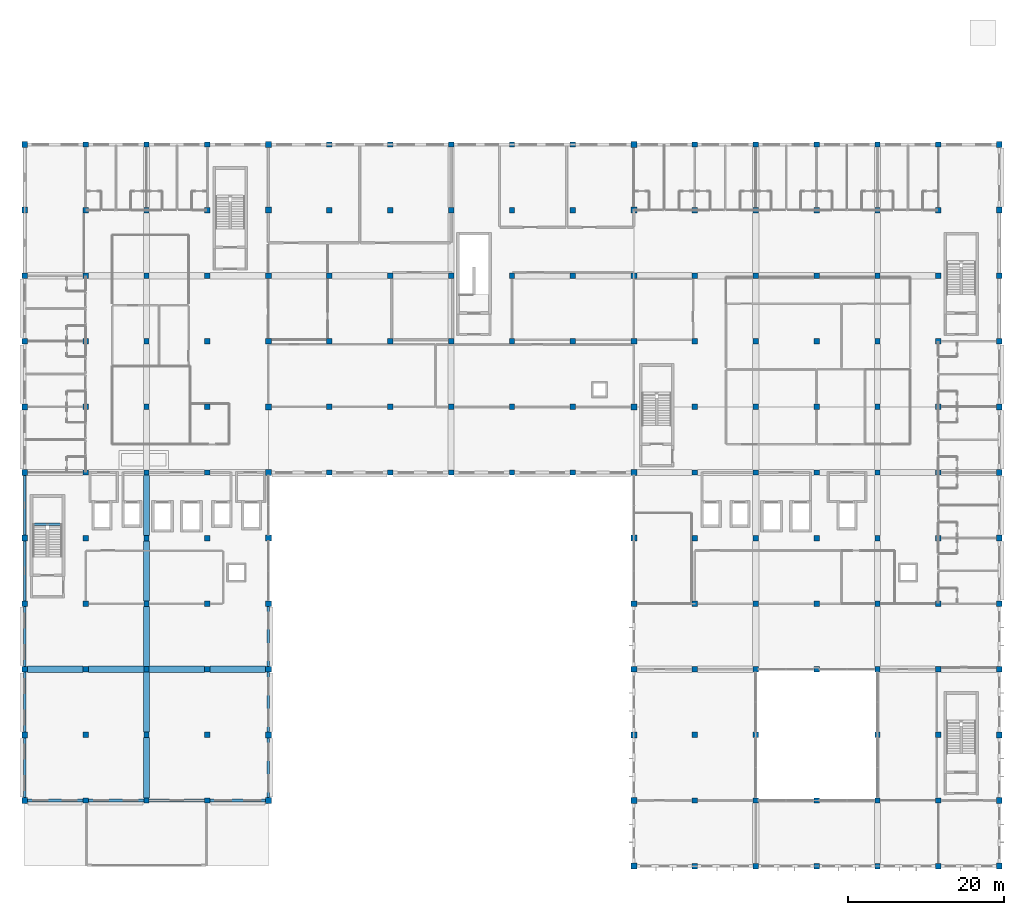
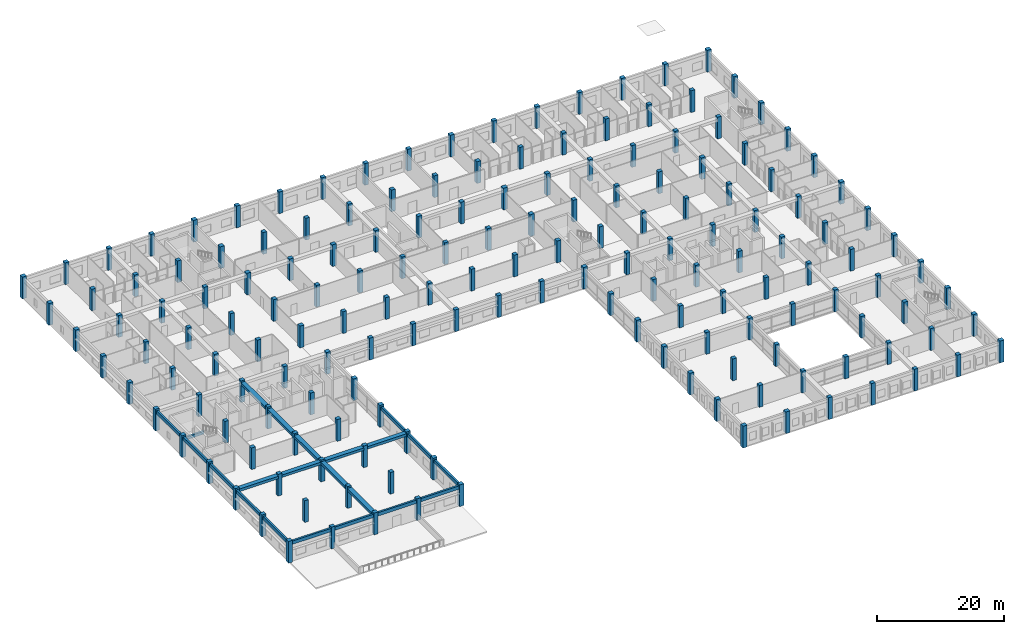
# One storey, part 1 of 53: 168 columns, 22 beams.
"""IFC4 building model written with IfcOpenShell, lengths in metres."""

import ifcopenshell
import ifcopenshell.guid

model = None  # the IFC model being written
_history = None  # IfcOwnerHistory: only IFC2X3 demands one
_inside = {}  # id of a spatial element -> (the spatial element, [elements in it])
_under = {}  # id of a project, library or spatial element -> (it, [spatial elements below it])
_declared = {}  # id of a project -> (the project, [libraries it declares])
_typed = {}  # id of a type object -> (the type object, [elements of that type])
_made_of = {}  # id of a material, layer set ... -> (it, [elements and type objects made of it])


def new_model(schema):
    """Start an empty IFC model of exactly this schema.

    Asked for "IFC4X3", IfcOpenShell would pick the latest addendum, in which some entities
    have other attributes; the version numbers below select the first issue.
    IFC2X3 requires an IfcOwnerHistory on every rooted entity: one is made here for all.
    """
    global model, _history
    if schema == "IFC4X3":
        model = ifcopenshell.file(schema_version=(4, 3, 0, 0))
    else:
        model = ifcopenshell.file(schema=schema)
    _inside.clear()
    _under.clear()
    _declared.clear()
    _typed.clear()
    _made_of.clear()
    _history = None
    if model.schema == "IFC2X3":
        org = make("IfcOrganization", Name="unknown")
        user = make(
            "IfcPersonAndOrganization",
            ThePerson=make("IfcPerson", FamilyName="unknown"),
            TheOrganization=org,
        )
        app = make(
            "IfcApplication",
            ApplicationDeveloper=org,
            Version="unknown",
            ApplicationFullName="unknown",
            ApplicationIdentifier="unknown",
        )
        _history = make(
            "IfcOwnerHistory",
            OwningUser=user,
            OwningApplication=app,
            ChangeAction="ADDED",
            CreationDate=0,
        )
    return model


def make(cls, **values):
    """One entity of the class cls with the attributes given. An attribute that is None is left unset."""
    return model.create_entity(
        cls, **{name: value for name, value in values.items() if value is not None}
    )


def rooted(cls, **values):
    """An entity with a GlobalId (a new one), such as an element, a storey or a relation."""
    return make(cls, GlobalId=ifcopenshell.guid.new(), OwnerHistory=_history, **values)


def si_unit(unit_type, name, prefix=None):
    """IfcSIUnit, for example si_unit("LENGTHUNIT", "METRE", prefix="MILLI")."""
    return make("IfcSIUnit", UnitType=unit_type, Prefix=prefix, Name=name)


def assignment(units):
    """IfcUnitAssignment: the units of a project."""
    return None if units is None else make("IfcUnitAssignment", Units=units)


def point(xyz):
    """IfcCartesianPoint."""
    return None if xyz is None else make("IfcCartesianPoint", Coordinates=xyz)


def direction(xyz):
    """IfcDirection."""
    return None if xyz is None else make("IfcDirection", DirectionRatios=xyz)


def frame(location, z_axis=None, x_axis=None):
    """IfcAxis2Placement3D, a coordinate frame: its origin and axes. An axis left out is left unset."""
    return make(
        "IfcAxis2Placement3D",
        Location=point(location),
        Axis=direction(z_axis),
        RefDirection=direction(x_axis),
    )


def frame_2d(location, x_axis=None):
    """IfcAxis2Placement2D, a coordinate frame in the plane: its origin and x axis."""
    return make(
        "IfcAxis2Placement2D", Location=point(location), RefDirection=direction(x_axis)
    )


def origin():
    """The frame at (0, 0, 0) with its axes left unset."""
    return frame((0.0, 0.0, 0.0))


def origin_2d():
    """The frame at (0, 0) in the plane with its x axis left unset."""
    return frame_2d((0.0, 0.0))


def place(relative_to, where):
    """IfcLocalPlacement: puts the frame where relative to a parent placement (None: the world)."""
    return make(
        "IfcLocalPlacement", PlacementRelTo=relative_to, RelativePlacement=where
    )


def context(
    kind, dimensions, precision=None, world=None, true_north=None, identifier=None
):
    """IfcGeometricRepresentationContext, for example the 3D "Model" context."""
    return make(
        "IfcGeometricRepresentationContext",
        ContextIdentifier=identifier,
        ContextType=kind,
        CoordinateSpaceDimension=dimensions,
        Precision=precision,
        WorldCoordinateSystem=world,
        TrueNorth=true_north,
    )


def subcontext(parent, identifier, kind, view, scale=None):
    """IfcGeometricRepresentationSubContext, for example "Body" below "Model"."""
    return make(
        "IfcGeometricRepresentationSubContext",
        ContextIdentifier=identifier,
        ContextType=kind,
        ParentContext=parent,
        TargetScale=scale,
        TargetView=view,
    )


def project(units=None, contexts=None):
    """IfcProject with its units and contexts."""
    return rooted(
        "IfcProject",
        Name="project",
        RepresentationContexts=contexts,
        UnitsInContext=assignment(units),
    )


def spatial(cls, under=None, at=None, **own):
    """A site, building, storey or space (cls), placed at a placement, below another one or the project."""
    s = rooted(cls, ObjectPlacement=at, **own)
    if under is not None:
        _under.setdefault(under.id(), (under, []))[1].append(s)
    return s


def profile(cls, at=None, kind="AREA", **sizes):
    """A parametric profile (cls). Its sizes go by their IFC names, for example OverallWidth=200.0."""
    return make(cls, ProfileType=kind, Position=at, **sizes)


def rectangle(**sizes):
    """IfcRectangleProfileDef."""
    return profile("IfcRectangleProfileDef", **sizes)


def extrude(swept, where, along, depth):
    """IfcExtrudedAreaSolid: the profile swept, set in the frame where, extruded along a direction by depth."""
    return make(
        "IfcExtrudedAreaSolid",
        SweptArea=swept,
        Position=where,
        ExtrudedDirection=direction(along),
        Depth=depth,
    )


def shape(context_of_items, identifier, shape_type, items):
    """IfcShapeRepresentation: the items that make up one representation, for example the "Body"."""
    return make(
        "IfcShapeRepresentation",
        ContextOfItems=context_of_items,
        RepresentationIdentifier=identifier,
        RepresentationType=shape_type,
        Items=items,
    )


def material(Name=None, Category=None):
    """IfcMaterial."""
    return make("IfcMaterial", Name=Name, Category=Category)


def material_profile(
    of_material, cross_section, Name=None, Category=None, Priority=None
):
    """IfcMaterialProfile: a cross section and its material."""
    return make(
        "IfcMaterialProfile",
        Name=Name,
        Material=of_material,
        Profile=cross_section,
        Priority=Priority,
        Category=Category,
    )


def profile_set(profiles, Name=None, composite=None):
    """IfcMaterialProfileSet."""
    return make(
        "IfcMaterialProfileSet",
        Name=Name,
        MaterialProfiles=profiles,
        CompositeProfile=composite,
    )


def made_of(thing, what):
    """Note that an element or type object is made of a material, layer set ...; save() writes the relation."""
    if what is not None:
        _made_of.setdefault(what.id(), (what, []))[1].append(thing)
    return thing


def type_object(cls, material=None, **own):
    """A type object (cls), such as IfcWallType, which elements share."""
    return made_of(rooted(cls, **own), material)


def element(
    cls,
    number,
    at=None,
    inside=None,
    cuts=None,
    type_object=None,
    material=None,
    context=None,
    identifier="Body",
    shape_type=None,
    held_by="IfcProductDefinitionShape",
    body=None,
    shapes=None,
    **own,
):
    """One element of the class cls, such as IfcWall. Its Tag is "e" and its number.

    at: its placement. inside: the storey or other place that contains it. cuts: it is an
    opening in that element (IfcRelVoidsElement). A single representation is given by context,
    identifier, shape_type and body (its items); several are given by shapes. held_by: the class
    of the entity that holds the representations. save() writes the other relations.
    """
    e = rooted(cls, Tag="e%d" % number, ObjectPlacement=at, **own)
    if body is not None:
        shapes = [shape(context, identifier, shape_type, body)]
    if shapes is not None:
        e.Representation = make(held_by, Representations=shapes)
    if inside is not None:
        _inside.setdefault(inside.id(), (inside, []))[1].append(e)
    if cuts is not None:
        rooted(
            "IfcRelVoidsElement", RelatingBuildingElement=cuts, RelatedOpeningElement=e
        )
    if type_object is not None:
        _typed.setdefault(type_object.id(), (type_object, []))[1].append(e)
    return made_of(e, material)


def aggregate(whole, parts):
    """IfcRelAggregates: a whole, such as a stair, and the parts it consists of."""
    return rooted("IfcRelAggregates", RelatingObject=whole, RelatedObjects=parts)


def save(model, path):
    """Write the relations noted so far, then the file.

    IfcRelAggregates (storeys below a building ...), IfcRelContainedInSpatialStructure (elements
    in a storey), IfcRelDefinesByType, IfcRelAssociatesMaterial and IfcRelDeclares: one each for
    every whole, place, type object, material and project.
    """
    for whole, parts in _under.values():
        aggregate(whole, parts)
    for where, things in _inside.values():
        rooted(
            "IfcRelContainedInSpatialStructure",
            RelatedElements=things,
            RelatingStructure=where,
        )
    for kind, things in _typed.values():
        rooted("IfcRelDefinesByType", RelatedObjects=things, RelatingType=kind)
    for what, things in _made_of.values():
        rooted("IfcRelAssociatesMaterial", RelatedObjects=things, RelatingMaterial=what)
    for by, libraries in _declared.values():
        rooted("IfcRelDeclares", RelatingContext=by, RelatedDefinitions=libraries)
    model.write(path)


model = new_model("IFC4")

# Units and contexts
model_context = context("Model", 3, precision=1e-05, world=origin(), true_north=direction((0.0, 1.0)))
body_context = subcontext(model_context, "Body", "Model", "MODEL_VIEW")
ifc_project = project(units=[si_unit("LENGTHUNIT", "METRE"), si_unit("AREAUNIT", "SQUARE_METRE"), si_unit("VOLUMEUNIT", "CUBIC_METRE"), si_unit("PLANEANGLEUNIT", "RADIAN"), si_unit("MASSUNIT", "GRAM", prefix="KILO"), si_unit("THERMODYNAMICTEMPERATUREUNIT", "KELVIN"), si_unit("POWERUNIT", "WATT")], contexts=[model_context])

# Site, building, storey
site_placement = place(None, origin())
site = spatial("IfcSite", under=ifc_project, at=site_placement, CompositionType="ELEMENT")
building_placement = place(site_placement, origin())
building = spatial("IfcBuilding", under=site, at=building_placement, Name="Srebrne Nadtorze General Hospital", CompositionType="ELEMENT")
storey_placement = place(building_placement, frame((0.0, 0.0, 18.0)))
storey = spatial("IfcBuildingStorey", under=building, at=storey_placement, Name="L04", CompositionType="ELEMENT", Elevation=18.0)

# Columns
ifc_material_1 = material(Name="Concrete C40/50", Category="concrete")
ifc_material_profile_1 = material_profile(ifc_material_1, rectangle(XDim=0.699951171875, YDim=0.699951171875, at=origin_2d()), Name="RC-COL-700x700")
ifc_profile_set_1 = profile_set([ifc_material_profile_1], Name="Concrete C40/50")
column_type_1 = type_object("IfcColumnType", Name="Reinforced concrete column 700x700", PredefinedType="COLUMN", material=ifc_profile_set_1)
for number, where, z_axis, x_axis, name in (
    (1, (31.199951171875, 8.39990234375, 0.0), (0.0, 0.0, 1.0), (1.0, 0.0, 0.0), "Column CL-L04-5-B"),
    (2, (31.199951171875, 16.800048828125, 0.0), (0.0, 0.0, 1.0), (1.0, 0.0, 0.0), "Column CL-L04-5-C"),
    (3, (31.199951171875, 25.199951171875, 0.0), (0.0, 0.0, 1.0), (1.0, 0.0, 0.0), "Column CL-L04-5-D"),
    (4, (31.199951171875, 33.60009765625, 0.0), (0.0, 0.0, 1.0), (1.0, 0.0, 0.0), "Column CL-L04-5-E"),
    (5, (31.199951171875, 42.0, 0.0), (0.0, 0.0, 1.0), (1.0, 0.0, 0.0), "Column CL-L04-5-F"),
    (6, (31.199951171875, 50.39990234375, 0.0), (0.0, 0.0, 1.0), (1.0, 0.0, 0.0), "Column CL-L04-5-G"),
    (7, (31.199951171875, 58.800048828125, 0.0), (0.0, 0.0, 1.0), (1.0, 0.0, 0.0), "Column CL-L04-5-H"),
    (8, (31.199951171875, 67.199951171875, 0.0), (0.0, 0.0, 1.0), (1.0, 0.0, 0.0), "Column CL-L04-5-J"),
    (9, (31.199951171875, 75.60009765625, 0.0), (0.0, 0.0, 1.0), (1.0, 0.0, 0.0), "Column CL-L04-5-K"),
    (10, (31.199951171875, 84.0, 0.0), (0.0, 0.0, 1.0), (1.0, 0.0, 0.0), "Column CL-L04-5-L"),
    (11, (31.199951171875, 92.39990234375, 0.0), (0.0, 0.0, 1.0), (1.0, 0.0, 0.0), "Column CL-L04-5-M"),
    (12, (39.0, 8.39990234375, 0.0), (0.0, 0.0, 1.0), (1.0, 0.0, 0.0), "Column CL-L04-6-B"),
    (13, (39.0, 16.800048828125, 0.0), (0.0, 0.0, 1.0), (1.0, 0.0, 0.0), "Column CL-L04-6-C"),
    (14, (39.0, 25.199951171875, 0.0), (0.0, 0.0, 1.0), (1.0, 0.0, 0.0), "Column CL-L04-6-D"),
    (15, (39.0, 33.60009765625, 0.0), (0.0, 0.0, 1.0), (1.0, 0.0, 0.0), "Column CL-L04-6-E"),
    (16, (39.0, 42.0, 0.0), (0.0, 0.0, 1.0), (1.0, 0.0, 0.0), "Column CL-L04-6-F"),
    (17, (39.0, 50.39990234375, 0.0), (0.0, 0.0, 1.0), (1.0, 0.0, 0.0), "Column CL-L04-6-G"),
    (18, (39.0, 58.800048828125, 0.0), (0.0, 0.0, 1.0), (1.0, 0.0, 0.0), "Column CL-L04-6-H"),
    (19, (39.0, 67.199951171875, 0.0), (0.0, 0.0, 1.0), (1.0, 0.0, 0.0), "Column CL-L04-6-J"),
    (20, (39.0, 75.60009765625, 0.0), (0.0, 0.0, 1.0), (1.0, 0.0, 0.0), "Column CL-L04-6-K"),
    (21, (39.0, 84.0, 0.0), (0.0, 0.0, 1.0), (1.0, 0.0, 0.0), "Column CL-L04-6-L"),
    (22, (39.0, 92.39990234375, 0.0), (0.0, 0.0, 1.0), (1.0, 0.0, 0.0), "Column CL-L04-6-M"),
    (23, (46.800048828125, 8.39990234375, 0.0), (0.0, 0.0, 1.0), (1.0, 0.0, 0.0), "Column CL-L04-7-B"),
    (24, (46.800048828125, 16.800048828125, 0.0), (0.0, 0.0, 1.0), (1.0, 0.0, 0.0), "Column CL-L04-7-C"),
    (25, (46.800048828125, 25.199951171875, 0.0), (0.0, 0.0, 1.0), (1.0, 0.0, 0.0), "Column CL-L04-7-D"),
    (26, (46.800048828125, 33.60009765625, 0.0), (0.0, 0.0, 1.0), (1.0, 0.0, 0.0), "Column CL-L04-7-E"),
    (27, (46.800048828125, 42.0, 0.0), (0.0, 0.0, 1.0), (1.0, 0.0, 0.0), "Column CL-L04-7-F"),
    (28, (46.800048828125, 50.39990234375, 0.0), (0.0, 0.0, 1.0), (1.0, 0.0, 0.0), "Column CL-L04-7-G"),
    (29, (46.800048828125, 58.800048828125, 0.0), (0.0, 0.0, 1.0), (1.0, 0.0, 0.0), "Column CL-L04-7-H"),
    (30, (46.800048828125, 67.199951171875, 0.0), (0.0, 0.0, 1.0), (1.0, 0.0, 0.0), "Column CL-L04-7-J"),
    (31, (46.800048828125, 75.60009765625, 0.0), (0.0, 0.0, 1.0), (1.0, 0.0, 0.0), "Column CL-L04-7-K"),
    (32, (46.800048828125, 84.0, 0.0), (0.0, 0.0, 1.0), (1.0, 0.0, 0.0), "Column CL-L04-7-L"),
    (33, (46.800048828125, 92.39990234375, 0.0), (0.0, 0.0, 1.0), (1.0, 0.0, 0.0), "Column CL-L04-7-M"),
    (34, (62.39990234375, 50.39990234375, 0.0), (0.0, 0.0, 1.0), (1.0, 0.0, 0.0), "Column CL-L04-9-G"),
    (35, (62.39990234375, 58.800048828125, 0.0), (0.0, 0.0, 1.0), (1.0, 0.0, 0.0), "Column CL-L04-9-H"),
    (36, (62.39990234375, 67.199951171875, 0.0), (0.0, 0.0, 1.0), (1.0, 0.0, 0.0), "Column CL-L04-9-J"),
    (37, (62.39990234375, 75.60009765625, 0.0), (0.0, 0.0, 1.0), (1.0, 0.0, 0.0), "Column CL-L04-9-K"),
    (38, (62.39990234375, 84.0, 0.0), (0.0, 0.0, 1.0), (1.0, 0.0, 0.0), "Column CL-L04-9-L"),
    (39, (62.39990234375, 92.39990234375, 0.0), (0.0, 0.0, 1.0), (1.0, 0.0, 0.0), "Column CL-L04-9-M"),
    (40, (70.199951171875, 50.39990234375, 0.0), (0.0, 0.0, 1.0), (1.0, 0.0, 0.0), "Column CL-L04-10-G"),
    (41, (70.199951171875, 58.800048828125, 0.0), (0.0, 0.0, 1.0), (1.0, 0.0, 0.0), "Column CL-L04-10-H"),
    (42, (70.199951171875, 67.199951171875, 0.0), (0.0, 0.0, 1.0), (1.0, 0.0, 0.0), "Column CL-L04-10-J"),
    (43, (70.199951171875, 75.60009765625, 0.0), (0.0, 0.0, 1.0), (1.0, 0.0, 0.0), "Column CL-L04-10-K"),
    (44, (70.199951171875, 84.0, 0.0), (0.0, 0.0, 1.0), (1.0, 0.0, 0.0), "Column CL-L04-10-L"),
    (45, (70.199951171875, 92.39990234375, 0.0), (0.0, 0.0, 1.0), (1.0, 0.0, 0.0), "Column CL-L04-10-M"),
    (46, (78.0, 50.39990234375, 0.0), (0.0, 0.0, 1.0), (1.0, 0.0, 0.0), "Column CL-L04-11-G"),
    (47, (78.0, 58.800048828125, 0.0), (0.0, 0.0, 1.0), (1.0, 0.0, 0.0), "Column CL-L04-11-H"),
    (48, (78.0, 67.199951171875, 0.0), (0.0, 0.0, 1.0), (1.0, 0.0, 0.0), "Column CL-L04-11-J"),
    (49, (78.0, 75.60009765625, 0.0), (0.0, 0.0, 1.0), (1.0, 0.0, 0.0), "Column CL-L04-11-K"),
    (50, (78.0, 84.0, 0.0), (0.0, 0.0, 1.0), (1.0, 0.0, 0.0), "Column CL-L04-11-L"),
    (51, (78.0, 92.39990234375, 0.0), (0.0, 0.0, 1.0), (1.0, 0.0, 0.0), "Column CL-L04-11-M"),
    (52, (85.800048828125, 50.39990234375, 0.0), (0.0, 0.0, 1.0), (1.0, 0.0, 0.0), "Column CL-L04-12-G"),
    (53, (85.800048828125, 58.800048828125, 0.0), (0.0, 0.0, 1.0), (1.0, 0.0, 0.0), "Column CL-L04-12-H"),
    (54, (85.800048828125, 67.199951171875, 0.0), (0.0, 0.0, 1.0), (1.0, 0.0, 0.0), "Column CL-L04-12-J"),
    (55, (85.800048828125, 75.60009765625, 0.0), (0.0, 0.0, 1.0), (1.0, 0.0, 0.0), "Column CL-L04-12-K"),
    (56, (85.800048828125, 84.0, 0.0), (0.0, 0.0, 1.0), (1.0, 0.0, 0.0), "Column CL-L04-12-L"),
    (57, (85.800048828125, 92.39990234375, 0.0), (0.0, 0.0, 1.0), (1.0, 0.0, 0.0), "Column CL-L04-12-M"),
    (58, (93.60009765625, 50.39990234375, 0.0), (0.0, 0.0, 1.0), (1.0, 0.0, 0.0), "Column CL-L04-13-G"),
    (59, (93.60009765625, 58.800048828125, 0.0), (0.0, 0.0, 1.0), (1.0, 0.0, 0.0), "Column CL-L04-13-H"),
    (60, (93.60009765625, 67.199951171875, 0.0), (0.0, 0.0, 1.0), (1.0, 0.0, 0.0), "Column CL-L04-13-J"),
    (61, (93.60009765625, 75.60009765625, 0.0), (0.0, 0.0, 1.0), (1.0, 0.0, 0.0), "Column CL-L04-13-K"),
    (62, (93.60009765625, 84.0, 0.0), (0.0, 0.0, 1.0), (1.0, 0.0, 0.0), "Column CL-L04-13-L"),
    (63, (93.60009765625, 92.39990234375, 0.0), (0.0, 0.0, 1.0), (1.0, 0.0, 0.0), "Column CL-L04-13-M"),
    (64, (109.199951171875, 0.0, 0.0), (0.0, 0.0, 1.0), (1.0, 0.0, 0.0), "Column CL-L04-15-A"),
    (65, (109.199951171875, 8.39990234375, 0.0), (0.0, 0.0, 1.0), (1.0, 0.0, 0.0), "Column CL-L04-15-B"),
    (66, (109.199951171875, 16.800048828125, 0.0), (0.0, 0.0, 1.0), (1.0, 0.0, 0.0), "Column CL-L04-15-C"),
    (67, (109.199951171875, 25.199951171875, 0.0), (0.0, 0.0, 1.0), (1.0, 0.0, 0.0), "Column CL-L04-15-D"),
    (68, (109.199951171875, 33.60009765625, 0.0), (0.0, 0.0, 1.0), (1.0, 0.0, 0.0), "Column CL-L04-15-E"),
    (69, (109.199951171875, 42.0, 0.0), (0.0, 0.0, 1.0), (1.0, 0.0, 0.0), "Column CL-L04-15-F"),
    (70, (109.199951171875, 50.39990234375, 0.0), (0.0, 0.0, 1.0), (1.0, 0.0, 0.0), "Column CL-L04-15-G"),
    (71, (109.199951171875, 58.800048828125, 0.0), (0.0, 0.0, 1.0), (1.0, 0.0, 0.0), "Column CL-L04-15-H"),
    (72, (109.199951171875, 67.199951171875, 0.0), (0.0, 0.0, 1.0), (1.0, 0.0, 0.0), "Column CL-L04-15-J"),
    (73, (109.199951171875, 75.60009765625, 0.0), (0.0, 0.0, 1.0), (1.0, 0.0, 0.0), "Column CL-L04-15-K"),
    (74, (109.199951171875, 84.0, 0.0), (0.0, 0.0, 1.0), (1.0, 0.0, 0.0), "Column CL-L04-15-L"),
    (75, (109.199951171875, 92.39990234375, 0.0), (0.0, 0.0, 1.0), (1.0, 0.0, 0.0), "Column CL-L04-15-M"),
    (76, (117.0, 0.0, 0.0), (0.0, 0.0, 1.0), (1.0, 0.0, 0.0), "Column CL-L04-16-A"),
    (77, (117.0, 8.39990234375, 0.0), (0.0, 0.0, 1.0), (1.0, 0.0, 0.0), "Column CL-L04-16-B"),
    (78, (117.0, 16.800048828125, 0.0), (0.0, 0.0, 1.0), (1.0, 0.0, 0.0), "Column CL-L04-16-C"),
    (79, (117.0, 25.199951171875, 0.0), (0.0, 0.0, 1.0), (1.0, 0.0, 0.0), "Column CL-L04-16-D"),
    (80, (117.0, 33.60009765625, 0.0), (0.0, 0.0, 1.0), (1.0, 0.0, 0.0), "Column CL-L04-16-E"),
    (81, (117.0, 42.0, 0.0), (0.0, 0.0, 1.0), (1.0, 0.0, 0.0), "Column CL-L04-16-F"),
    (82, (117.0, 50.39990234375, 0.0), (0.0, 0.0, 1.0), (1.0, 0.0, 0.0), "Column CL-L04-16-G"),
    (83, (117.0, 58.800048828125, 0.0), (0.0, 0.0, 1.0), (1.0, 0.0, 0.0), "Column CL-L04-16-H"),
    (84, (117.0, 67.199951171875, 0.0), (0.0, 0.0, 1.0), (1.0, 0.0, 0.0), "Column CL-L04-16-J"),
    (85, (117.0, 75.60009765625, 0.0), (0.0, 0.0, 1.0), (1.0, 0.0, 0.0), "Column CL-L04-16-K"),
    (86, (117.0, 84.0, 0.0), (0.0, 0.0, 1.0), (1.0, 0.0, 0.0), "Column CL-L04-16-L"),
    (87, (117.0, 92.39990234375, 0.0), (0.0, 0.0, 1.0), (1.0, 0.0, 0.0), "Column CL-L04-16-M"),
    (88, (124.800048828125, 0.0, 0.0), (0.0, 0.0, 1.0), (1.0, 0.0, 0.0), "Column CL-L04-17-A"),
    (89, (124.800048828125, 8.39990234375, 0.0), (0.0, 0.0, 1.0), (1.0, 0.0, 0.0), "Column CL-L04-17-B"),
    (90, (124.800048828125, 25.199951171875, 0.0), (0.0, 0.0, 1.0), (1.0, 0.0, 0.0), "Column CL-L04-17-D"),
    (91, (124.800048828125, 33.60009765625, 0.0), (0.0, 0.0, 1.0), (1.0, 0.0, 0.0), "Column CL-L04-17-E"),
    (92, (124.800048828125, 42.0, 0.0), (0.0, 0.0, 1.0), (1.0, 0.0, 0.0), "Column CL-L04-17-F"),
    (93, (124.800048828125, 50.39990234375, 0.0), (0.0, 0.0, 1.0), (1.0, 0.0, 0.0), "Column CL-L04-17-G"),
    (94, (124.800048828125, 58.800048828125, 0.0), (0.0, 0.0, 1.0), (1.0, 0.0, 0.0), "Column CL-L04-17-H"),
    (95, (124.800048828125, 67.199951171875, 0.0), (0.0, 0.0, 1.0), (1.0, 0.0, 0.0), "Column CL-L04-17-J"),
    (96, (124.800048828125, 75.60009765625, 0.0), (0.0, 0.0, 1.0), (1.0, 0.0, 0.0), "Column CL-L04-17-K"),
    (97, (124.800048828125, 84.0, 0.0), (0.0, 0.0, 1.0), (1.0, 0.0, 0.0), "Column CL-L04-17-L"),
    (98, (124.800048828125, 92.39990234375, 0.0), (0.0, 0.0, 1.0), (1.0, 0.0, 0.0), "Column CL-L04-17-M"),
    (99, (132.60009765625, 0.0, 0.0), (0.0, 0.0, 1.0), (1.0, 0.0, 0.0), "Column CL-L04-18-A"),
    (100, (132.60009765625, 8.39990234375, 0.0), (0.0, 0.0, 1.0), (1.0, 0.0, 0.0), "Column CL-L04-18-B"),
    (101, (132.60009765625, 16.800048828125, 0.0), (0.0, 0.0, 1.0), (1.0, 0.0, 0.0), "Column CL-L04-18-C"),
    (102, (132.60009765625, 25.199951171875, 0.0), (0.0, 0.0, 1.0), (1.0, 0.0, 0.0), "Column CL-L04-18-D"),
    (103, (132.60009765625, 33.60009765625, 0.0), (0.0, 0.0, 1.0), (1.0, 0.0, 0.0), "Column CL-L04-18-E"),
    (104, (132.60009765625, 42.0, 0.0), (0.0, 0.0, 1.0), (1.0, 0.0, 0.0), "Column CL-L04-18-F"),
    (105, (132.60009765625, 50.39990234375, 0.0), (0.0, 0.0, 1.0), (1.0, 0.0, 0.0), "Column CL-L04-18-G"),
    (106, (132.60009765625, 58.800048828125, 0.0), (0.0, 0.0, 1.0), (1.0, 0.0, 0.0), "Column CL-L04-18-H"),
    (107, (132.60009765625, 67.199951171875, 0.0), (0.0, 0.0, 1.0), (1.0, 0.0, 0.0), "Column CL-L04-18-J"),
    (108, (132.60009765625, 75.60009765625, 0.0), (0.0, 0.0, 1.0), (1.0, 0.0, 0.0), "Column CL-L04-18-K"),
    (109, (132.60009765625, 84.0, 0.0), (0.0, 0.0, 1.0), (1.0, 0.0, 0.0), "Column CL-L04-18-L"),
    (110, (132.60009765625, 92.39990234375, 0.0), (0.0, 0.0, 1.0), (1.0, 0.0, 0.0), "Column CL-L04-18-M"),
    (111, (140.39990234375, 0.0, 0.0), (0.0, 0.0, 1.0), (1.0, 0.0, 0.0), "Column CL-L04-19-A"),
    (112, (140.39990234375, 8.39990234375, 0.0), (0.0, 0.0, 1.0), (1.0, 0.0, 0.0), "Column CL-L04-19-B"),
    (113, (140.39990234375, 16.800048828125, 0.0), (0.0, 0.0, 1.0), (1.0, 0.0, 0.0), "Column CL-L04-19-C"),
    (114, (140.39990234375, 25.199951171875, 0.0), (0.0, 0.0, 1.0), (1.0, 0.0, 0.0), "Column CL-L04-19-D"),
    (115, (140.39990234375, 33.60009765625, 0.0), (0.0, 0.0, 1.0), (1.0, 0.0, 0.0), "Column CL-L04-19-E"),
    (116, (140.39990234375, 42.0, 0.0), (0.0, 0.0, 1.0), (1.0, 0.0, 0.0), "Column CL-L04-19-F"),
    (117, (140.39990234375, 50.39990234375, 0.0), (0.0, 0.0, 1.0), (1.0, 0.0, 0.0), "Column CL-L04-19-G"),
    (118, (140.39990234375, 58.800048828125, 0.0), (0.0, 0.0, 1.0), (1.0, 0.0, 0.0), "Column CL-L04-19-H"),
    (119, (140.39990234375, 67.199951171875, 0.0), (0.0, 0.0, 1.0), (1.0, 0.0, 0.0), "Column CL-L04-19-J"),
    (120, (140.39990234375, 75.60009765625, 0.0), (0.0, 0.0, 1.0), (1.0, 0.0, 0.0), "Column CL-L04-19-K"),
    (121, (140.39990234375, 84.0, 0.0), (0.0, 0.0, 1.0), (1.0, 0.0, 0.0), "Column CL-L04-19-L"),
    (122, (140.39990234375, 92.39990234375, 0.0), (0.0, 0.0, 1.0), (1.0, 0.0, 0.0), "Column CL-L04-19-M"),
):
    element("IfcColumn", number, at=place(storey_placement, frame(where, z_axis=z_axis, x_axis=x_axis)), inside=storey, type_object=column_type_1, Name=name, PredefinedType="COLUMN", context=body_context, shape_type="SweptSolid", body=[
        extrude(rectangle(XDim=0.699951171875, YDim=0.699951171875, at=origin_2d()), origin(), (0.0, 0.0, 1.0), 4.199951171875),
    ])
ifc_material_2 = material(Name="Concrete C40/50", Category="concrete")
ifc_material_profile_2 = material_profile(ifc_material_2, rectangle(XDim=0.75, YDim=0.75, at=origin_2d()), Name="RC-COL-750x750")
ifc_profile_set_2 = profile_set([ifc_material_profile_2], Name="Concrete C40/50")
column_type_2 = type_object("IfcColumnType", Name="Reinforced concrete column 750x750", PredefinedType="COLUMN", material=ifc_profile_set_2)
for number, where, z_axis, x_axis, name in (
    (123, (23.39990234375, 8.39990234375, 0.0), (0.0, 0.0, 1.0), (1.0, 0.0, 0.0), "Column CL-L04-4-B"),
    (124, (23.39990234375, 16.800048828125, 0.0), (0.0, 0.0, 1.0), (1.0, 0.0, 0.0), "Column CL-L04-4-C"),
    (125, (23.39990234375, 25.199951171875, 0.0), (0.0, 0.0, 1.0), (1.0, 0.0, 0.0), "Column CL-L04-4-D"),
    (126, (23.39990234375, 33.60009765625, 0.0), (0.0, 0.0, 1.0), (1.0, 0.0, 0.0), "Column CL-L04-4-E"),
    (127, (23.39990234375, 42.0, 0.0), (0.0, 0.0, 1.0), (1.0, 0.0, 0.0), "Column CL-L04-4-F"),
    (128, (23.39990234375, 50.39990234375, 0.0), (0.0, 0.0, 1.0), (1.0, 0.0, 0.0), "Column CL-L04-4-G"),
    (129, (23.39990234375, 58.800048828125, 0.0), (0.0, 0.0, 1.0), (1.0, 0.0, 0.0), "Column CL-L04-4-H"),
    (130, (23.39990234375, 67.199951171875, 0.0), (0.0, 0.0, 1.0), (1.0, 0.0, 0.0), "Column CL-L04-4-J"),
    (131, (23.39990234375, 75.60009765625, 0.0), (0.0, 0.0, 1.0), (1.0, 0.0, 0.0), "Column CL-L04-4-K"),
    (132, (23.39990234375, 84.0, 0.0), (0.0, 0.0, 1.0), (1.0, 0.0, 0.0), "Column CL-L04-4-L"),
    (133, (23.39990234375, 92.39990234375, 0.0), (0.0, 0.0, 1.0), (1.0, 0.0, 0.0), "Column CL-L04-4-M"),
    (134, (54.60009765625, 8.39990234375, 0.0), (0.0, 0.0, 1.0), (1.0, 0.0, 0.0), "Column CL-L04-8-B"),
    (135, (54.60009765625, 16.800048828125, 0.0), (0.0, 0.0, 1.0), (1.0, 0.0, 0.0), "Column CL-L04-8-C"),
    (136, (54.60009765625, 25.199951171875, 0.0), (0.0, 0.0, 1.0), (1.0, 0.0, 0.0), "Column CL-L04-8-D"),
    (137, (54.60009765625, 33.60009765625, 0.0), (0.0, 0.0, 1.0), (1.0, 0.0, 0.0), "Column CL-L04-8-E"),
    (138, (54.60009765625, 42.0, 0.0), (0.0, 0.0, 1.0), (1.0, 0.0, 0.0), "Column CL-L04-8-F"),
    (139, (54.60009765625, 50.39990234375, 0.0), (0.0, 0.0, 1.0), (1.0, 0.0, 0.0), "Column CL-L04-8-G"),
    (140, (54.60009765625, 58.800048828125, 0.0), (0.0, 0.0, 1.0), (1.0, 0.0, 0.0), "Column CL-L04-8-H"),
    (141, (54.60009765625, 67.199951171875, 0.0), (0.0, 0.0, 1.0), (1.0, 0.0, 0.0), "Column CL-L04-8-J"),
    (142, (54.60009765625, 75.60009765625, 0.0), (0.0, 0.0, 1.0), (1.0, 0.0, 0.0), "Column CL-L04-8-K"),
    (143, (54.60009765625, 84.0, 0.0), (0.0, 0.0, 1.0), (1.0, 0.0, 0.0), "Column CL-L04-8-L"),
    (144, (54.60009765625, 92.39990234375, 0.0), (0.0, 0.0, 1.0), (1.0, 0.0, 0.0), "Column CL-L04-8-M"),
    (145, (101.39990234375, 0.0, 0.0), (0.0, 0.0, 1.0), (1.0, 0.0, 0.0), "Column CL-L04-14-A"),
    (146, (101.39990234375, 8.39990234375, 0.0), (0.0, 0.0, 1.0), (1.0, 0.0, 0.0), "Column CL-L04-14-B"),
    (147, (101.39990234375, 16.800048828125, 0.0), (0.0, 0.0, 1.0), (1.0, 0.0, 0.0), "Column CL-L04-14-C"),
    (148, (101.39990234375, 25.199951171875, 0.0), (0.0, 0.0, 1.0), (1.0, 0.0, 0.0), "Column CL-L04-14-D"),
    (149, (101.39990234375, 33.60009765625, 0.0), (0.0, 0.0, 1.0), (1.0, 0.0, 0.0), "Column CL-L04-14-E"),
    (150, (101.39990234375, 42.0, 0.0), (0.0, 0.0, 1.0), (1.0, 0.0, 0.0), "Column CL-L04-14-F"),
    (151, (101.39990234375, 50.39990234375, 0.0), (0.0, 0.0, 1.0), (1.0, 0.0, 0.0), "Column CL-L04-14-G"),
    (152, (101.39990234375, 58.800048828125, 0.0), (0.0, 0.0, 1.0), (1.0, 0.0, 0.0), "Column CL-L04-14-H"),
    (153, (101.39990234375, 67.199951171875, 0.0), (0.0, 0.0, 1.0), (1.0, 0.0, 0.0), "Column CL-L04-14-J"),
    (154, (101.39990234375, 75.60009765625, 0.0), (0.0, 0.0, 1.0), (1.0, 0.0, 0.0), "Column CL-L04-14-K"),
    (155, (101.39990234375, 84.0, 0.0), (0.0, 0.0, 1.0), (1.0, 0.0, 0.0), "Column CL-L04-14-L"),
    (156, (101.39990234375, 92.39990234375, 0.0), (0.0, 0.0, 1.0), (1.0, 0.0, 0.0), "Column CL-L04-14-M"),
    (157, (148.199951171875, 0.0, 0.0), (0.0, 0.0, 1.0), (1.0, 0.0, 0.0), "Column CL-L04-20-A"),
    (158, (148.199951171875, 8.39990234375, 0.0), (0.0, 0.0, 1.0), (1.0, 0.0, 0.0), "Column CL-L04-20-B"),
    (159, (148.199951171875, 16.800048828125, 0.0), (0.0, 0.0, 1.0), (1.0, 0.0, 0.0), "Column CL-L04-20-C"),
    (160, (148.199951171875, 25.199951171875, 0.0), (0.0, 0.0, 1.0), (1.0, 0.0, 0.0), "Column CL-L04-20-D"),
    (161, (148.199951171875, 33.60009765625, 0.0), (0.0, 0.0, 1.0), (1.0, 0.0, 0.0), "Column CL-L04-20-E"),
    (162, (148.199951171875, 42.0, 0.0), (0.0, 0.0, 1.0), (1.0, 0.0, 0.0), "Column CL-L04-20-F"),
    (163, (148.199951171875, 50.39990234375, 0.0), (0.0, 0.0, 1.0), (1.0, 0.0, 0.0), "Column CL-L04-20-G"),
    (164, (148.199951171875, 58.800048828125, 0.0), (0.0, 0.0, 1.0), (1.0, 0.0, 0.0), "Column CL-L04-20-H"),
    (165, (148.199951171875, 67.199951171875, 0.0), (0.0, 0.0, 1.0), (1.0, 0.0, 0.0), "Column CL-L04-20-J"),
    (166, (148.199951171875, 75.60009765625, 0.0), (0.0, 0.0, 1.0), (1.0, 0.0, 0.0), "Column CL-L04-20-K"),
    (167, (148.199951171875, 84.0, 0.0), (0.0, 0.0, 1.0), (1.0, 0.0, 0.0), "Column CL-L04-20-L"),
    (168, (148.199951171875, 92.39990234375, 0.0), (0.0, 0.0, 1.0), (1.0, 0.0, 0.0), "Column CL-L04-20-M"),
):
    element("IfcColumn", number, at=place(storey_placement, frame(where, z_axis=z_axis, x_axis=x_axis)), inside=storey, type_object=column_type_2, Name=name, PredefinedType="COLUMN", context=body_context, shape_type="SweptSolid", body=[
        extrude(rectangle(XDim=0.75, YDim=0.75, at=origin_2d()), origin(), (0.0, 0.0, 1.0), 4.199951171875),
    ])

# Beams
ifc_material_3 = material(Name="Concrete C35/45", Category="concrete")
ifc_material_profile_3 = material_profile(ifc_material_3, rectangle(XDim=0.35009765625, YDim=0.64990234375, at=origin_2d()), Name="RC-BM-350x650")
ifc_profile_set_3 = profile_set([ifc_material_profile_3], Name="Concrete C35/45")
beam_type_1 = type_object("IfcBeamType", Name="Edge beam RC 350x650", PredefinedType="BEAM", material=ifc_profile_set_3)
beam_1_placement = place(storey_placement, frame((23.77490234375, 8.39990234375, 3.56005859375), z_axis=(1.0, 0.0, 0.0), x_axis=(0.0, 1.0, 0.0)))
element("IfcBeam", 169, at=beam_1_placement, inside=storey, type_object=beam_type_1, Name="Beam BM-L04-X-0865", PredefinedType="BEAM", context=body_context, shape_type="SweptSolid", body=[
    extrude(rectangle(XDim=0.35009765625, YDim=0.64990234375, at=origin_2d()), origin(), (0.0, 0.0, 1.0), 7.0751953125),
])
for number, where, z_axis, x_axis, name in (
    (170, (31.550048828125, 8.39990234375, 3.56005859375), (1.0, 0.0, 0.0), (0.0, 1.0, 0.0), "Beam BM-L04-X-0866"),
    (171, (39.35009765625, 8.39990234375, 3.56005859375), (1.0, 0.0, 0.0), (0.0, 1.0, 0.0), "Beam BM-L04-X-0867"),
):
    element("IfcBeam", number, at=place(storey_placement, frame(where, z_axis=z_axis, x_axis=x_axis)), inside=storey, type_object=beam_type_1, Name=name, PredefinedType="BEAM", context=body_context, shape_type="SweptSolid", body=[
        extrude(rectangle(XDim=0.35009765625, YDim=0.64990234375, at=origin_2d()), origin(), (0.0, 0.0, 1.0), 7.099853515625),
    ])
beam_2_placement = place(storey_placement, frame((47.14990234375, 8.39990234375, 3.56005859375), z_axis=(1.0, 0.0, 0.0), x_axis=(0.0, 1.0, 0.0)))
element("IfcBeam", 172, at=beam_2_placement, inside=storey, type_object=beam_type_1, Name="Beam BM-L04-X-0868", PredefinedType="BEAM", context=body_context, shape_type="SweptSolid", body=[
    extrude(rectangle(XDim=0.35009765625, YDim=0.64990234375, at=origin_2d()), origin(), (0.0, 0.0, 1.0), 7.0751953125),
])
beam_3_placement = place(storey_placement, frame((23.39990234375, 8.77490234375, 3.56005859375), z_axis=(0.0, 1.0, 0.0), x_axis=(-1.0, 0.0, 0.0)))
element("IfcBeam", 173, at=beam_3_placement, inside=storey, type_object=beam_type_1, Name="Beam BM-L04-Y-0927", PredefinedType="BEAM", context=body_context, shape_type="SweptSolid", body=[
    extrude(rectangle(XDim=0.35009765625, YDim=0.64990234375, at=origin_2d()), origin(), (0.0, 0.0, 1.0), 7.650146484375),
])
beam_4_placement = place(storey_placement, frame((23.39990234375, 17.175048828125, 3.56005859375), z_axis=(0.0, 1.0, 0.0), x_axis=(-1.0, 0.0, 0.0)))
element("IfcBeam", 174, at=beam_4_placement, inside=storey, type_object=beam_type_1, Name="Beam BM-L04-Y-0928", PredefinedType="BEAM", context=body_context, shape_type="SweptSolid", body=[
    extrude(rectangle(XDim=0.35009765625, YDim=0.64990234375, at=origin_2d()), origin(), (0.0, 0.0, 1.0), 7.64990234375),
])
beam_5_placement = place(storey_placement, frame((23.39990234375, 25.574951171875, 3.56005859375), z_axis=(0.0, 1.0, 0.0), x_axis=(-1.0, 0.0, 0.0)))
element("IfcBeam", 175, at=beam_5_placement, inside=storey, type_object=beam_type_1, Name="Beam BM-L04-Y-0929", PredefinedType="BEAM", context=body_context, shape_type="SweptSolid", body=[
    extrude(rectangle(XDim=0.35009765625, YDim=0.64990234375, at=origin_2d()), origin(), (0.0, 0.0, 1.0), 7.650146484375),
])
for number, where, z_axis, x_axis, name in (
    (176, (23.39990234375, 33.97509765625, 3.56005859375), (0.0, 1.0, 0.0), (-1.0, 0.0, 0.0), "Beam BM-L04-Y-0930"),
    (177, (23.39990234375, 42.375, 3.56005859375), (0.0, 1.0, 0.0), (-1.0, 0.0, 0.0), "Beam BM-L04-Y-0931"),
):
    element("IfcBeam", number, at=place(storey_placement, frame(where, z_axis=z_axis, x_axis=x_axis)), inside=storey, type_object=beam_type_1, Name=name, PredefinedType="BEAM", context=body_context, shape_type="SweptSolid", body=[
        extrude(rectangle(XDim=0.35009765625, YDim=0.64990234375, at=origin_2d()), origin(), (0.0, 0.0, 1.0), 7.64990234375),
    ])
beam_6_placement = place(storey_placement, frame((54.60009765625, 8.77490234375, 3.56005859375), z_axis=(0.0, 1.0, 0.0), x_axis=(-1.0, 0.0, 0.0)))
element("IfcBeam", 178, at=beam_6_placement, inside=storey, type_object=beam_type_1, Name="Beam BM-L04-Y-0947", PredefinedType="BEAM", context=body_context, shape_type="SweptSolid", body=[
    extrude(rectangle(XDim=0.35009765625, YDim=0.64990234375, at=origin_2d()), origin(), (0.0, 0.0, 1.0), 7.650146484375),
])
beam_7_placement = place(storey_placement, frame((54.60009765625, 17.175048828125, 3.56005859375), z_axis=(0.0, 1.0, 0.0), x_axis=(-1.0, 0.0, 0.0)))
element("IfcBeam", 179, at=beam_7_placement, inside=storey, type_object=beam_type_1, Name="Beam BM-L04-Y-0948", PredefinedType="BEAM", context=body_context, shape_type="SweptSolid", body=[
    extrude(rectangle(XDim=0.35009765625, YDim=0.64990234375, at=origin_2d()), origin(), (0.0, 0.0, 1.0), 7.64990234375),
])
beam_8_placement = place(storey_placement, frame((54.60009765625, 25.574951171875, 3.56005859375), z_axis=(0.0, 1.0, 0.0), x_axis=(-1.0, 0.0, 0.0)))
element("IfcBeam", 180, at=beam_8_placement, inside=storey, type_object=beam_type_1, Name="Beam BM-L04-Y-0949", PredefinedType="BEAM", context=body_context, shape_type="SweptSolid", body=[
    extrude(rectangle(XDim=0.35009765625, YDim=0.64990234375, at=origin_2d()), origin(), (0.0, 0.0, 1.0), 7.650146484375),
])
ifc_material_4 = material(Name="Concrete C40/50", Category="concrete")
ifc_material_profile_4 = material_profile(ifc_material_4, rectangle(XDim=0.800048828125, YDim=0.5, at=origin_2d()), Name="RC-BM-800x500")
ifc_profile_set_4 = profile_set([ifc_material_profile_4], Name="Concrete C40/50")
beam_type_2 = type_object("IfcBeamType", Name="Primary beam RC 800x500", PredefinedType="BEAM", material=ifc_profile_set_4)
beam_9_placement = place(storey_placement, frame((23.77490234375, 25.199951171875, 3.635009765625), z_axis=(1.0, 0.0, 0.0), x_axis=(0.0, 1.0, 0.0)))
element("IfcBeam", 181, at=beam_9_placement, inside=storey, type_object=beam_type_2, Name="Beam BM-L04-X-0871", PredefinedType="BEAM", context=body_context, shape_type="SweptSolid", body=[
    extrude(rectangle(XDim=0.800048828125, YDim=0.5, at=origin_2d()), origin(), (0.0, 0.0, 1.0), 7.0751953125),
])
for number, where, z_axis, x_axis, name in (
    (182, (31.550048828125, 25.199951171875, 3.635009765625), (1.0, 0.0, 0.0), (0.0, 1.0, 0.0), "Beam BM-L04-X-0872"),
    (183, (39.35009765625, 25.199951171875, 3.635009765625), (1.0, 0.0, 0.0), (0.0, 1.0, 0.0), "Beam BM-L04-X-0873"),
):
    element("IfcBeam", number, at=place(storey_placement, frame(where, z_axis=z_axis, x_axis=x_axis)), inside=storey, type_object=beam_type_2, Name=name, PredefinedType="BEAM", context=body_context, shape_type="SweptSolid", body=[
        extrude(rectangle(XDim=0.800048828125, YDim=0.5, at=origin_2d()), origin(), (0.0, 0.0, 1.0), 7.099853515625),
    ])
beam_10_placement = place(storey_placement, frame((47.14990234375, 25.199951171875, 3.635009765625), z_axis=(1.0, 0.0, 0.0), x_axis=(0.0, 1.0, 0.0)))
element("IfcBeam", 184, at=beam_10_placement, inside=storey, type_object=beam_type_2, Name="Beam BM-L04-X-0874", PredefinedType="BEAM", context=body_context, shape_type="SweptSolid", body=[
    extrude(rectangle(XDim=0.800048828125, YDim=0.5, at=origin_2d()), origin(), (0.0, 0.0, 1.0), 7.0751953125),
])
beam_11_placement = place(storey_placement, frame((39.0, 8.75, 3.635009765625), z_axis=(0.0, 1.0, 0.0), x_axis=(-1.0, 0.0, 0.0)))
element("IfcBeam", 185, at=beam_11_placement, inside=storey, type_object=beam_type_2, Name="Beam BM-L04-Y-0937", PredefinedType="BEAM", context=body_context, shape_type="SweptSolid", body=[
    extrude(rectangle(XDim=0.800048828125, YDim=0.5, at=origin_2d()), origin(), (0.0, 0.0, 1.0), 7.699951171875),
])
beam_12_placement = place(storey_placement, frame((39.0, 17.14990234375, 3.635009765625), z_axis=(0.0, 1.0, 0.0), x_axis=(-1.0, 0.0, 0.0)))
element("IfcBeam", 186, at=beam_12_placement, inside=storey, type_object=beam_type_2, Name="Beam BM-L04-Y-0938", PredefinedType="BEAM", context=body_context, shape_type="SweptSolid", body=[
    extrude(rectangle(XDim=0.800048828125, YDim=0.5, at=origin_2d()), origin(), (0.0, 0.0, 1.0), 7.7001953125),
])
for number, where, z_axis, x_axis, name in (
    (187, (39.0, 25.550048828125, 3.635009765625), (0.0, 1.0, 0.0), (-1.0, 0.0, 0.0), "Beam BM-L04-Y-0939"),
    (188, (39.0, 33.949951171875, 3.635009765625), (0.0, 1.0, 0.0), (-1.0, 0.0, 0.0), "Beam BM-L04-Y-0940"),
    (189, (39.0, 42.35009765625, 3.635009765625), (0.0, 1.0, 0.0), (-1.0, 0.0, 0.0), "Beam BM-L04-Y-0941"),
):
    element("IfcBeam", number, at=place(storey_placement, frame(where, z_axis=z_axis, x_axis=x_axis)), inside=storey, type_object=beam_type_2, Name=name, PredefinedType="BEAM", context=body_context, shape_type="SweptSolid", body=[
        extrude(rectangle(XDim=0.800048828125, YDim=0.5, at=origin_2d()), origin(), (0.0, 0.0, 1.0), 7.699951171875),
    ])
ifc_material_5 = material(Name="Concrete C35/45", Category="concrete")
ifc_material_profile_5 = material_profile(ifc_material_5, rectangle(XDim=0.35009765625, YDim=0.550048828125, at=origin_2d()), Name="RC-BM-350x550")
ifc_profile_set_5 = profile_set([ifc_material_profile_5], Name="Concrete C35/45")
beam_type_3 = type_object("IfcBeamType", Name="Spandrel lintel beam RC 350x550", PredefinedType="LINTEL", material=ifc_profile_set_5)
beam_13_placement = place(storey_placement, frame((24.449951171875, 43.760009765625, 1.824951171875), z_axis=(1.0, 0.0, 0.0), x_axis=(0.0, 1.0, 0.0)))
element("IfcBeam", 190, at=beam_13_placement, inside=storey, type_object=beam_type_3, Name="Stair landing header beam ST-01 L04", PredefinedType="LINTEL", context=body_context, shape_type="SweptSolid", body=[
    extrude(rectangle(XDim=0.35009765625, YDim=0.550048828125, at=origin_2d()), origin(), (0.0, 0.0, 1.0), 3.75),
])

save(model, "model.ifc")
